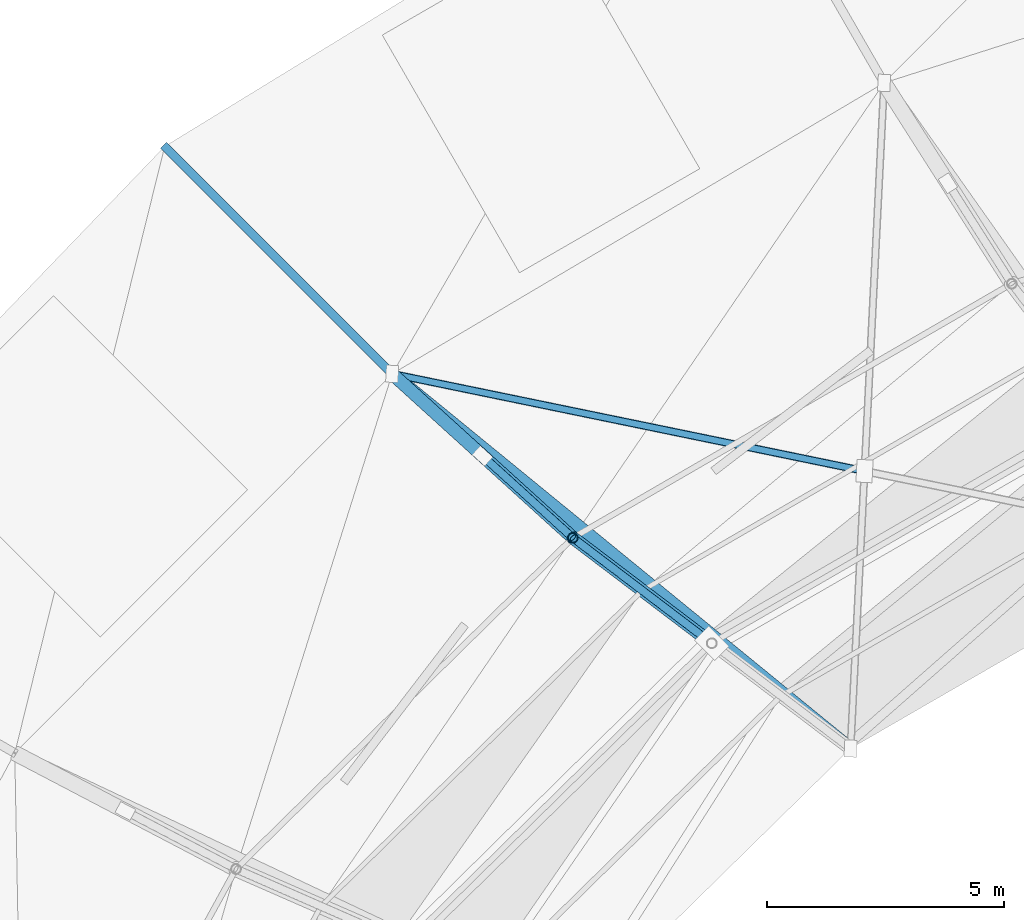
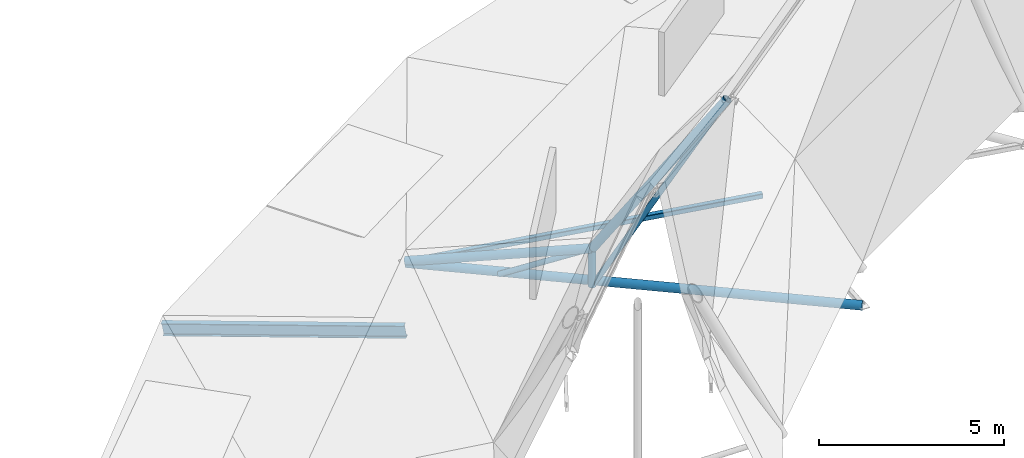
# One storey, part 9 of 36: 6 members, 2 beams.
"""IFC4 building model written with IfcOpenShell, lengths in metres."""

from ifc_helpers import new_model, si_unit, direction, frame, origin, origin_2d, place, context, subcontext, project, spatial, hollow_rectangle, hollow_circle, i_section, extrude, material, material_profile, profile_set, type_object, element, save


model = new_model("IFC4")

# Units and contexts
model_context = context("Model", 3, precision=1e-05, world=origin(), true_north=direction((0.0, 1.0)))
body_context = subcontext(model_context, "Body", "Model", "MODEL_VIEW")
ifc_project = project(units=[si_unit("LENGTHUNIT", "METRE"), si_unit("AREAUNIT", "SQUARE_METRE"), si_unit("VOLUMEUNIT", "CUBIC_METRE"), si_unit("PLANEANGLEUNIT", "RADIAN"), si_unit("MASSUNIT", "GRAM", prefix="KILO")], contexts=[model_context])

# Site, building, storey
site_placement = place(None, origin())
site = spatial("IfcSite", under=ifc_project, at=site_placement, CompositionType="ELEMENT")
building_placement = place(site_placement, origin())
building = spatial("IfcBuilding", under=site, at=building_placement, Name="Kildeholm Park Wholesale Market", CompositionType="ELEMENT")
storey_placement = place(building_placement, frame((0.0, 0.0, 17.39990234375)))
storey = spatial("IfcBuildingStorey", under=building, at=storey_placement, Name="Roof", CompositionType="ELEMENT", Elevation=17.39990234375)

# Beams
ifc_material = material(Name="Steel S355", Category="steel")
ifc_material_profile_1 = material_profile(ifc_material, i_section(OverallWidth=0.179931640625, OverallDepth=0.39990234375, WebThickness=0.008544921875, FlangeThickness=0.013427734375, FilletRadius=0.02099609375, at=origin_2d()), Name="IPE 400")
ifc_profile_set_1 = profile_set([ifc_material_profile_1], Name="Steel S355")
beam_type_1 = type_object("IfcBeamType", Name="Beam B-P01 IPE 400", PredefinedType="BEAM", material=ifc_profile_set_1)
beam_1_placement = place(storey_placement, frame((58.695068359375, 121.673095703125, -8.0244140625), z_axis=(0.697189304401, -0.6972247073, 0.166747657733), x_axis=(0.707124733755, 0.707088828163, 0.0)))
element("IfcBeam", 1, at=beam_1_placement, inside=storey, type_object=beam_type_1, Name="Beam BM-V1-RF-S1-09 BM-0273", PredefinedType="BEAM", context=body_context, shape_type="SweptSolid", body=[
    extrude(i_section(OverallWidth=0.179931640625, OverallDepth=0.39990234375, WebThickness=0.008544921875, FlangeThickness=0.013427734375, FilletRadius=0.02099609375, at=origin_2d()), origin(), (0.0, 0.0, 1.0), 6.89599609375),
])
ifc_material_profile_2 = material_profile(ifc_material, hollow_circle(Radius=0.136474609375, WallThickness=0.01611328125, at=origin_2d()), Name="CHS 273x16")
ifc_profile_set_2 = profile_set([ifc_material_profile_2], Name="Steel S355")
beam_type_2 = type_object("IfcBeamType", Name="Beam B-T01 CHS 273x16", PredefinedType="BEAM", material=ifc_profile_set_2)
beam_2_placement = place(storey_placement, frame((63.5029296875, 116.864990234375, -4.6298828125), z_axis=(0.774216280002, -0.632921126034, 0.0), x_axis=(0.632921126034, 0.774216280002, 0.0)))
element("IfcBeam", 2, at=beam_2_placement, inside=storey, type_object=beam_type_2, Name="Beam BM-V1-TIE-09 BM-0278", PredefinedType="BEAM", context=body_context, shape_type="SweptSolid", body=[
    extrude(hollow_circle(Radius=0.136474609375, WallThickness=0.01611328125, at=origin_2d()), origin(), (0.0, 0.0, 1.0), 12.51318359375),
])

# Members
ifc_material_profile_3 = material_profile(ifc_material, hollow_circle(Radius=0.084228515625, WallThickness=0.010009765625, at=origin_2d()), Name="CHS 168.3x10")
ifc_profile_set_3 = profile_set([ifc_material_profile_3], Name="Steel S355")
member_type_1 = type_object("IfcMemberType", Name="Member TB-01 CHS 168.3x10", PredefinedType="BRACE", material=ifc_profile_set_3)
member_1_placement = place(storey_placement, frame((65.412109375, 115.132080078125, -4.6298828125), z_axis=(0.667549315149, -0.605427890961, 0.433399331669), x_axis=(0.671800440371, 0.740732183935, 0.0)))
element("IfcMember", 3, at=member_1_placement, inside=storey, type_object=member_type_1, Name="Member TR-V1-09-WB1 MEM-0123", PredefinedType="BRACE", context=body_context, shape_type="SweptSolid", body=[
    extrude(hollow_circle(Radius=0.084228515625, WallThickness=0.010009765625, at=origin_2d()), origin(), (0.0, 0.0, 1.0), 2.861083984375),
])
member_2_placement = place(storey_placement, frame((67.322021484375, 113.39990234375, -4.6298828125), z_axis=(0.393277128214, -0.298507219677, 0.869612868019), x_axis=(0.604590931653, 0.796536129352, 0.0)))
element("IfcMember", 4, at=member_2_placement, inside=storey, type_object=member_type_1, Name="Member TR-V1-09-WB2 MEM-0124", PredefinedType="BRACE", context=body_context, shape_type="SweptSolid", body=[
    extrude(hollow_circle(Radius=0.084228515625, WallThickness=0.010009765625, at=origin_2d()), origin(), (0.0, 0.0, 1.0), 7.463134765625),
])
ifc_material_profile_4 = material_profile(ifc_material, hollow_circle(Radius=0.109619140625, WallThickness=0.012451171875, at=origin_2d()), Name="CHS 219.1x12.5")
ifc_profile_set_4 = profile_set([ifc_material_profile_4], Name="Steel S355")
member_type_2 = type_object("IfcMemberType", Name="Member TB-02 CHS 219.1x12.5", PredefinedType="BRACE", material=ifc_profile_set_4)
member_3_placement = place(storey_placement, frame((67.322021484375, 113.39990234375, -4.6298828125), z_axis=(0.0, 0.0, 1.0), x_axis=(1.0, 0.0, 0.0)))
element("IfcMember", 5, at=member_3_placement, inside=storey, type_object=member_type_2, Name="Member TR-V1-09-VT1 MEM-0121", PredefinedType="BRACE", context=body_context, shape_type="SweptSolid", body=[
    extrude(hollow_circle(Radius=0.109619140625, WallThickness=0.012451171875, at=origin_2d()), origin(), (0.0, 0.0, 1.0), 1.239990234375),
])
ifc_material_profile_5 = material_profile(ifc_material, hollow_rectangle(XDim=0.159912109375, YDim=0.159912109375, WallThickness=0.010009765625, InnerFilletRadius=0.010009765625, OuterFilletRadius=0.02001953125, at=origin_2d()), Name="SHS 160x160x10")
ifc_profile_set_5 = profile_set([ifc_material_profile_5], Name="Steel S355")
member_type_3 = type_object("IfcMemberType", Name="Member TB-04 SHS 160x160x10", PredefinedType="BRACE", material=ifc_profile_set_5)
member_4_placement = place(storey_placement, frame((63.5029296875, 116.864990234375, -4.6298828125), z_axis=(0.979477013823, -0.201555896444, 0.0), x_axis=(0.201555896444, 0.979477013823, 0.0)))
element("IfcMember", 6, at=member_4_placement, inside=storey, type_object=member_type_3, Name="Member BR-V1-RF-08-2A MEM-0116", PredefinedType="BRACE", context=body_context, shape_type="SweptSolid", body=[
    extrude(hollow_rectangle(XDim=0.159912109375, YDim=0.159912109375, WallThickness=0.010009765625, InnerFilletRadius=0.010009765625, OuterFilletRadius=0.02001953125, at=origin_2d()), origin(), (0.0, 0.0, 1.0), 10.15283203125),
])
ifc_material_profile_6 = material_profile(ifc_material, hollow_circle(Radius=0.136474609375, WallThickness=0.01611328125, at=origin_2d()), Name="CHS 273x16")
ifc_profile_set_6 = profile_set([ifc_material_profile_6], Name="Steel S355")
member_type_4 = type_object("IfcMemberType", Name="Member TC-02 CHS 273x16", PredefinedType="CHORD", material=ifc_profile_set_6)
member_5_placement = place(storey_placement, frame((63.5029296875, 116.864990234375, -4.579833984375), z_axis=(0.721634117326, -0.654743529196, 0.224844638998), x_axis=(0.671949035159, 0.74059739005, 0.0)))
element("IfcMember", 7, at=member_5_placement, inside=storey, type_object=member_type_4, Name="Member TR-V1-09-TC1 MEM-0118", PredefinedType="CHORD", context=body_context, shape_type="SweptSolid", body=[
    extrude(hollow_circle(Radius=0.136474609375, WallThickness=0.01611328125, at=origin_2d()), origin(), (0.0, 0.0, 1.0), 5.292236328125),
])
member_6_placement = place(storey_placement, frame((67.322021484375, 113.39990234375, -3.389892578125), z_axis=(0.45759805838, -0.347328421454, 0.818515109584), x_axis=(0.604590931653, 0.796536129352, 0.0)))
element("IfcMember", 8, at=member_6_placement, inside=storey, type_object=member_type_4, Name="Member TR-V1-09-TC2 MEM-0119", PredefinedType="CHORD", context=body_context, shape_type="SweptSolid", body=[
    extrude(hollow_circle(Radius=0.136474609375, WallThickness=0.01611328125, at=origin_2d()), origin(), (0.0, 0.0, 1.0), 6.4140625),
])

save(model, "model.ifc")
